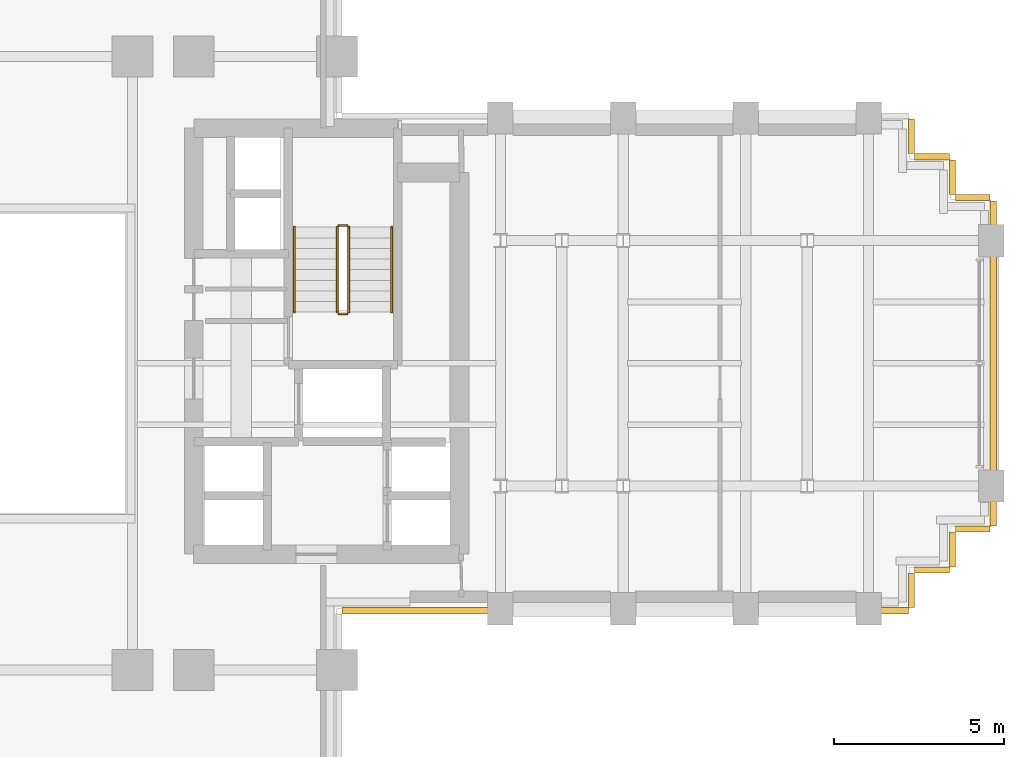
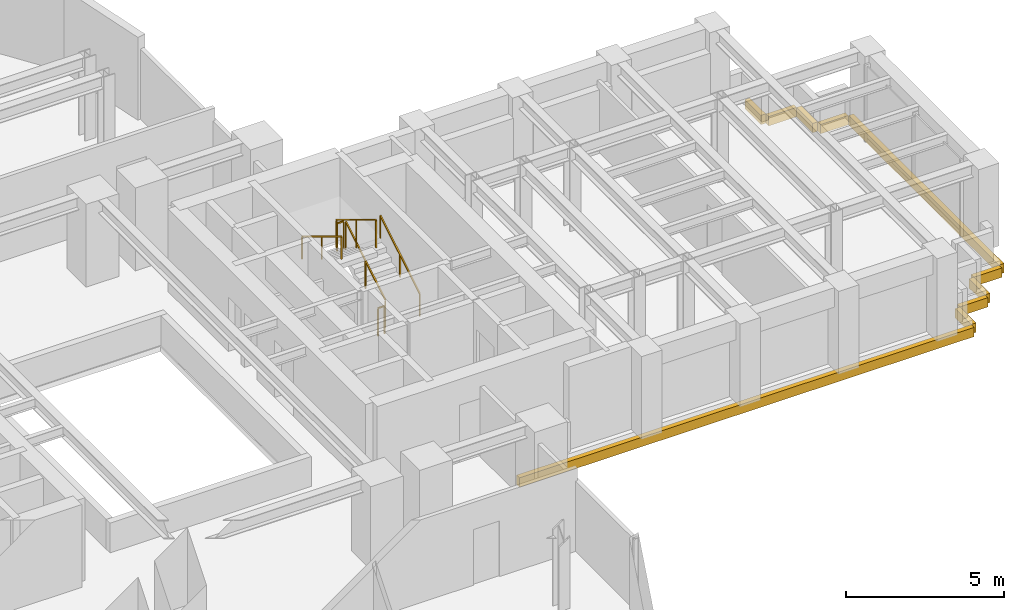
# One storey, part 15 of 16: 10 coverings, 6 railings.
"""IFC4 building model written with IfcOpenShell, lengths in metres."""

from ifc_helpers import new_model, si_unit, direction, frame, origin, origin_2d, place, context, subcontext, project, spatial, rectangle, extrude, source, transform, mapped, material, layer, layer_set, type_object, element, save


model = new_model("IFC4")

# Units and contexts
model_context = context("Model", 3, precision=1e-05, world=origin(), true_north=direction((0.0, 1.0)))
body_context = subcontext(model_context, "Body", "Model", "MODEL_VIEW")
ifc_project = project(units=[si_unit("LENGTHUNIT", "METRE"), si_unit("AREAUNIT", "SQUARE_METRE"), si_unit("VOLUMEUNIT", "CUBIC_METRE"), si_unit("PLANEANGLEUNIT", "RADIAN"), si_unit("MASSUNIT", "GRAM", prefix="KILO")], contexts=[model_context])

# Site, building, storey
site_placement = place(None, origin())
site = spatial("IfcSite", under=ifc_project, at=site_placement, CompositionType="ELEMENT")
building_placement = place(site_placement, origin())
building = spatial("IfcBuilding", under=site, at=building_placement, Name="Keilestroom Media Tower", CompositionType="ELEMENT")
storey_placement = place(building_placement, frame((0.0, 0.0, 54.39990234375)))
storey = spatial("IfcBuildingStorey", under=building, at=storey_placement, Name="L13", CompositionType="ELEMENT", Elevation=54.39990234375)

# Railings
ifc_material_1 = material(Name="Brushed Stainless Steel 1.4301", Category="steel")
railing_type_1 = type_object("IfcRailingType", Name="Stair-Pitch-Handrail-920", PredefinedType="HANDRAIL", material=ifc_material_1)
railing_1_placement = place(storey_placement, frame((11.2099609375, 1.5, 0.18896484375)))
element("IfcRailing", 1, at=railing_1_placement, inside=storey, type_object=railing_type_1, Name="L13 ST-2 stair handrail 1", PredefinedType="HANDRAIL", context=body_context, shape_type="SweptSolid", body=[
    extrude(rectangle(XDim=0.048095703125, YDim=0.048095703125, at=origin_2d()), frame((0.0, 0.0, 0.8759765625), z_axis=(0.0, 0.855433747314, 0.517912255074), x_axis=(-1.0, 0.0, 0.0)), (0.0, 0.0, 1.0), 2.91796875),
    extrude(rectangle(XDim=0.0419921875, YDim=0.0419921875, at=origin_2d()), origin(), (0.0, 0.0, 1.0), 0.84375),
    extrude(rectangle(XDim=0.0419921875, YDim=0.0419921875, at=origin_2d()), frame((0.0, 1.248046875, 0.755615234375)), (0.0, 0.0, 1.0), 0.84375),
    extrude(rectangle(XDim=0.0419921875, YDim=0.0419921875, at=origin_2d()), frame((0.0, 2.49609375, 1.51123046875)), (0.0, 0.0, 1.0), 0.84375),
])
railing_2_placement = place(storey_placement, frame((8.35009765625, 3.99609375, 1.888916015625)))
element("IfcRailing", 2, at=railing_2_placement, inside=storey, type_object=railing_type_1, Name="L13 ST-2 stair handrail 2", PredefinedType="HANDRAIL", context=body_context, shape_type="SweptSolid", body=[
    extrude(rectangle(XDim=0.048095703125, YDim=0.048095703125, at=origin_2d()), frame((0.0, 0.0, 0.8759765625), z_axis=(0.0, -0.855433747314, 0.517912255074), x_axis=(1.0, 0.0, 0.0)), (0.0, 0.0, 1.0), 2.91796875),
    extrude(rectangle(XDim=0.0419921875, YDim=0.0419921875, at=origin_2d()), origin(), (0.0, 0.0, 1.0), 0.84375),
    extrude(rectangle(XDim=0.0419921875, YDim=0.0419921875, at=origin_2d()), frame((0.0, -1.248046875, 0.755615234375)), (0.0, 0.0, 1.0), 0.84375),
    extrude(rectangle(XDim=0.0419921875, YDim=0.0419921875, at=origin_2d()), frame((0.0, -2.49609375, 1.51123046875)), (0.0, 0.0, 1.0), 0.84375),
])
ifc_material_2 = material(Name="Painted Steel Balustrade", Category="steel")
railing_type_2 = type_object("IfcRailingType", Name="Stair-Well-And-Landing-Guard-1100", PredefinedType="GUARDRAIL", material=ifc_material_2)
railing_3_placement = place(storey_placement, frame((9.949951171875, 1.5, 0.18896484375)))
element("IfcRailing", 3, at=railing_3_placement, inside=storey, type_object=railing_type_2, Name="L13 ST-2 stair guard 1", PredefinedType="GUARDRAIL", context=body_context, shape_type="SweptSolid", body=[
    extrude(rectangle(XDim=0.048095703125, YDim=0.048095703125, at=origin_2d()), frame((0.0, 0.0, 1.076171875), z_axis=(0.0, 0.855433747314, 0.517912255074), x_axis=(-1.0, 0.0, 0.0)), (0.0, 0.0, 1.0), 2.91796875),
    extrude(rectangle(XDim=0.0419921875, YDim=0.0419921875, at=origin_2d()), origin(), (0.0, 0.0, 1.0), 1.0439453125),
    extrude(rectangle(XDim=0.0419921875, YDim=0.0419921875, at=origin_2d()), frame((0.0, 1.248046875, 0.755615234375)), (0.0, 0.0, 1.0), 1.0439453125),
    extrude(rectangle(XDim=0.0419921875, YDim=0.0419921875, at=origin_2d()), frame((0.0, 2.49609375, 1.51123046875)), (0.0, 0.0, 1.0), 1.0439453125),
])
railing_4_placement = place(storey_placement, frame((9.89990234375, 4.0458984375, 1.7001953125)))
element("IfcRailing", 4, at=railing_4_placement, inside=storey, type_object=railing_type_2, Name="L13 ST-2 stair guard 2", PredefinedType="GUARDRAIL", context=body_context, shape_type="SweptSolid", body=[
    extrude(rectangle(XDim=0.048095703125, YDim=0.048095703125, at=origin_2d()), frame((0.0, 0.0, 1.076171875), z_axis=(-1.0, 0.0, 0.0), x_axis=(0.0, -1.0, 0.0)), (0.0, 0.0, 1.0), 0.239990234375),
    extrude(rectangle(XDim=0.0419921875, YDim=0.0419921875, at=origin_2d()), origin(), (0.0, 0.0, 1.0), 1.0439453125),
    extrude(rectangle(XDim=0.0419921875, YDim=0.0419921875, at=origin_2d()), frame((-0.239990234375, 0.0, 0.0)), (0.0, 0.0, 1.0), 1.0439453125),
])
railing_5_placement = place(storey_placement, frame((9.610107421875, 3.99609375, 1.888916015625)))
element("IfcRailing", 5, at=railing_5_placement, inside=storey, type_object=railing_type_2, Name="L13 ST-2 stair guard 3", PredefinedType="GUARDRAIL", context=body_context, shape_type="SweptSolid", body=[
    extrude(rectangle(XDim=0.048095703125, YDim=0.048095703125, at=origin_2d()), frame((0.0, 0.0, 1.076171875), z_axis=(0.0, -0.855433747314, 0.517912255074), x_axis=(1.0, 0.0, 0.0)), (0.0, 0.0, 1.0), 2.91796875),
    extrude(rectangle(XDim=0.0419921875, YDim=0.0419921875, at=origin_2d()), origin(), (0.0, 0.0, 1.0), 1.0439453125),
    extrude(rectangle(XDim=0.0419921875, YDim=0.0419921875, at=origin_2d()), frame((0.0, -1.248046875, 0.755615234375)), (0.0, 0.0, 1.0), 1.0439453125),
    extrude(rectangle(XDim=0.0419921875, YDim=0.0419921875, at=origin_2d()), frame((0.0, -2.49609375, 1.51123046875)), (0.0, 0.0, 1.0), 1.0439453125),
])
railing_6_placement = place(storey_placement, frame((9.89990234375, 1.449951171875, 0.0)))
element("IfcRailing", 6, at=railing_6_placement, inside=storey, type_object=railing_type_2, Name="L13 ST-2 stair guard 4", PredefinedType="GUARDRAIL", context=body_context, shape_type="SweptSolid", body=[
    extrude(rectangle(XDim=0.048095703125, YDim=0.048095703125, at=origin_2d()), frame((0.0, 0.0, 1.076171875), z_axis=(-1.0, 0.0, 0.0), x_axis=(0.0, -1.0, 0.0)), (0.0, 0.0, 1.0), 0.239990234375),
    extrude(rectangle(XDim=0.0419921875, YDim=0.0419921875, at=origin_2d()), origin(), (0.0, 0.0, 1.0), 1.0439453125),
    extrude(rectangle(XDim=0.0419921875, YDim=0.0419921875, at=origin_2d()), frame((-0.239990234375, 0.0, 0.0)), (0.0, 0.0, 1.0), 1.0439453125),
])

# Coverings
ifc_material_3 = material(Name="Precast concrete C40/50", Category="concrete")
ifc_layer = layer(ifc_material_3, 0.1201171875)
ifc_layer_set = layer_set([ifc_layer], Name="Precast concrete C40/50")
covering_type = type_object("IfcCoveringType", Name="Exterior-Precast-Spandrel-Cladding-Panel-120", PredefinedType="CLADDING", material=ifc_layer_set)
shared_shape_1 = source(origin(), body_context, "Body", "SweptSolid", [
    extrude(rectangle(XDim=1.02001953125, YDim=0.179931640625, at=origin_2d()), origin(), (0.0, 0.0, 1.0), 0.360107421875),
])
for number, where, z_axis, x_axis, name in (
    (7, (28.260009765625, -4.860107421875, -0.5400390625), (0.0, 0.0, 1.0), (-1.0, 0.0, 0.0), "L13 Precast Slab-Edge Fascia Cornice 01"),
    (8, (27.659912109375, -5.4599609375, -0.5400390625), (0.0, 0.0, 1.0), (0.0, -1.0, 0.0), "L13 Precast Slab-Edge Fascia Cornice 02"),
    (9, (27.06005859375, -6.06005859375, -0.5400390625), (0.0, 0.0, 1.0), (-1.0, 0.0, 0.0), "L13 Precast Slab-Edge Fascia Cornice 03"),
    (10, (26.4599609375, -6.659912109375, -0.5400390625), (0.0, 0.0, 1.0), (0.0, -1.0, 0.0), "L13 Precast Slab-Edge Fascia Cornice 04"),
    (11, (26.4599609375, 6.659912109375, -0.5400390625), (0.0, 0.0, 1.0), (0.0, -1.0, 0.0), "L13 Precast Slab-Edge Fascia Cornice 38"),
    (12, (27.06005859375, 6.06005859375, -0.5400390625), (0.0, 0.0, 1.0), (1.0, 0.0, 0.0), "L13 Precast Slab-Edge Fascia Cornice 39"),
    (13, (27.659912109375, 5.4599609375, -0.5400390625), (0.0, 0.0, 1.0), (0.0, -1.0, 0.0), "L13 Precast Slab-Edge Fascia Cornice 40"),
    (14, (28.260009765625, 4.860107421875, -0.5400390625), (0.0, 0.0, 1.0), (1.0, 0.0, 0.0), "L13 Precast Slab-Edge Fascia Cornice 41"),
):
    element("IfcCovering", number, at=place(storey_placement, frame(where, z_axis=z_axis, x_axis=x_axis)), inside=storey, type_object=covering_type, Name=name, PredefinedType="CLADDING", context=body_context, shape_type="MappedRepresentation", body=[
        mapped(shared_shape_1, transform((0.0, 0.0, 0.0), x_axis=(1.0, 0.0, 0.0), y_axis=(0.0, 1.0, 0.0), z_axis=(0.0, 0.0, 1.0), scale=1.0)),
    ])
shared_shape_2 = source(origin(), body_context, "Body", "SweptSolid", [
    extrude(rectangle(XDim=16.6201171875, YDim=0.179931640625, at=origin_2d()), origin(), (0.0, 0.0, 1.0), 0.360107421875),
])
covering_1_placement = place(storey_placement, frame((18.06005859375, -7.260009765625, -0.5400390625), z_axis=(0.0, 0.0, 1.0), x_axis=(-1.0, 0.0, 0.0)))
element("IfcCovering", 15, at=covering_1_placement, inside=storey, type_object=covering_type, Name="L13 Precast Slab-Edge Fascia Cornice 05", PredefinedType="CLADDING", context=body_context, shape_type="MappedRepresentation", body=[
    mapped(shared_shape_2, transform((0.0, 0.0, 0.0), x_axis=(1.0, 0.0, 0.0), y_axis=(0.0, 1.0, 0.0), z_axis=(0.0, 0.0, 1.0), scale=1.0)),
])
shared_shape_3 = source(origin(), body_context, "Body", "SweptSolid", [
    extrude(rectangle(XDim=9.5400390625, YDim=0.179931640625, at=origin_2d()), origin(), (0.0, 0.0, 1.0), 0.360107421875),
])
covering_2_placement = place(storey_placement, frame((28.860107421875, 0.0, -0.5400390625), z_axis=(0.0, 0.0, 1.0), x_axis=(0.0, -1.0, 0.0)))
element("IfcCovering", 16, at=covering_2_placement, inside=storey, type_object=covering_type, Name="L13 Precast Slab-Edge Fascia Cornice 42", PredefinedType="CLADDING", context=body_context, shape_type="MappedRepresentation", body=[
    mapped(shared_shape_3, transform((0.0, 0.0, 0.0), x_axis=(1.0, 0.0, 0.0), y_axis=(0.0, 1.0, 0.0), z_axis=(0.0, 0.0, 1.0), scale=1.0)),
])

save(model, "model.ifc")
